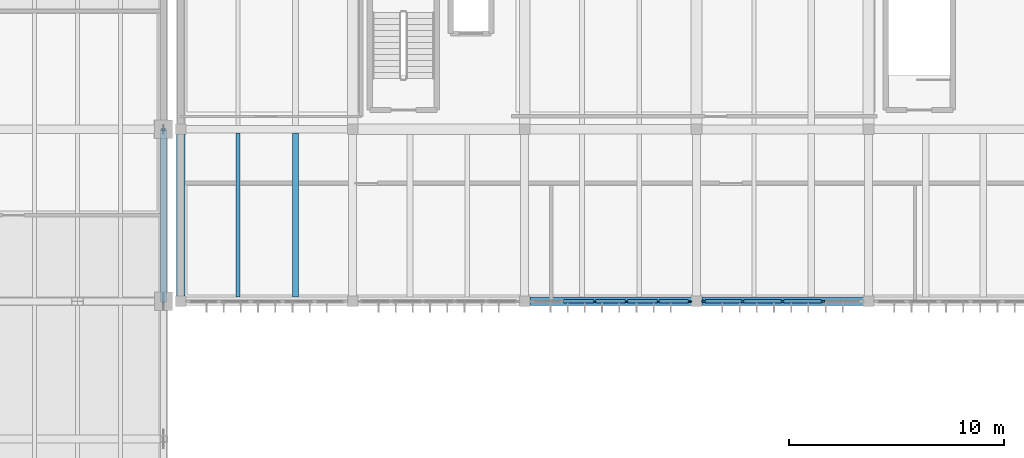
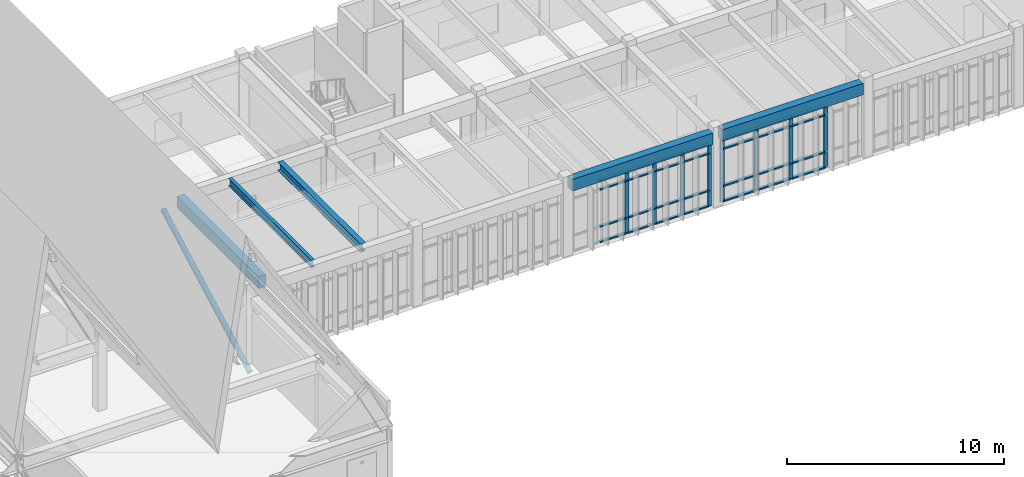
# One storey, part 16 of 72: 37 members, 5 beams, 2 elements without a shape of their own.
"""IFC4 building model written with IfcOpenShell, lengths in metres."""

from ifc_helpers import new_model, si_unit, direction, frame, origin, origin_2d, place, context, subcontext, project, spatial, rectangle, hollow_circle, i_section, extrude, material, material_profile, profile_set, type_object, element, aggregate, save


model = new_model("IFC4")

# Units and contexts
model_context = context("Model", 3, precision=1e-05, world=origin(), true_north=direction((0.0, 1.0)))
body_context = subcontext(model_context, "Body", "Model", "MODEL_VIEW")
ifc_project = project(units=[si_unit("LENGTHUNIT", "METRE"), si_unit("AREAUNIT", "SQUARE_METRE"), si_unit("VOLUMEUNIT", "CUBIC_METRE"), si_unit("PLANEANGLEUNIT", "RADIAN"), si_unit("MASSUNIT", "GRAM", prefix="KILO")], contexts=[model_context])

# Site, building, storey
site_placement = place(None, origin())
site = spatial("IfcSite", under=ifc_project, at=site_placement, CompositionType="ELEMENT")
building_placement = place(site_placement, origin())
building = spatial("IfcBuilding", under=site, at=building_placement, Name="Tlaxcora Railside Police Headquarters", CompositionType="ELEMENT")
storey_placement = place(building_placement, frame((0.0, 0.0, 13.5)))
storey = spatial("IfcBuildingStorey", under=building, at=storey_placement, Name="L03", CompositionType="ELEMENT", Elevation=13.5)

# Curtain wall, members
ifc_material_1 = material(Name="Thermally broken low-E insulated glazing", Category="glass")
curtain_wall_type_1 = type_object("IfcCurtainWallType", Name="Unitised Curtain Wall Assembly CW-15", PredefinedType="NOTDEFINED", material=ifc_material_1)
curtain_wall_1_placement = place(storey_placement, origin())
curtain_wall_1 = element("IfcCurtainWall", 1, at=curtain_wall_1_placement, inside=storey, type_object=curtain_wall_type_1, Name="V7 L03 curtain wall 186", PredefinedType="NOTDEFINED")
ifc_material_2 = material(Name="Anodised aluminium framing", Category="aluminium")
ifc_material_profile_1 = material_profile(ifc_material_2, rectangle(XDim=0.074951171875, YDim=0.199951171875, at=origin_2d()), Name="AL75X200")
ifc_profile_set_1 = profile_set([ifc_material_profile_1], Name="Anodised aluminium framing")
member_type_1 = type_object("IfcMemberType", Name="Curtain Wall Mullion CW-58", PredefinedType="MULLION", material=ifc_profile_set_1)
member_1_placement = place(storey_placement, frame((122.06005859375, 36.0, 0.0), z_axis=(0.0, 0.0, 1.0), x_axis=(0.0, 1.0, 0.0)))
member_1 = element("IfcMember", 2, at=member_1_placement, type_object=member_type_1, Name="CW mullion 3", PredefinedType="MULLION", context=body_context, shape_type="SweptSolid", body=[
    extrude(rectangle(XDim=0.074951171875, YDim=0.199951171875, at=origin_2d()), origin(), (0.0, 0.0, 1.0), 3.52001953125),
])
member_2_placement = place(storey_placement, frame((123.5400390625, 36.0, 0.0), z_axis=(0.0, 0.0, 1.0), x_axis=(0.0, 1.0, 0.0)))
member_2 = element("IfcMember", 3, at=member_2_placement, type_object=member_type_1, Name="CW mullion 4", PredefinedType="MULLION", context=body_context, shape_type="SweptSolid", body=[
    extrude(rectangle(XDim=0.074951171875, YDim=0.199951171875, at=origin_2d()), origin(), (0.0, 0.0, 1.0), 3.52001953125),
])
member_3_placement = place(storey_placement, frame((125.02001953125, 36.0, 0.0), z_axis=(0.0, 0.0, 1.0), x_axis=(0.0, 1.0, 0.0)))
member_3 = element("IfcMember", 4, at=member_3_placement, type_object=member_type_1, Name="CW mullion 5", PredefinedType="MULLION", context=body_context, shape_type="SweptSolid", body=[
    extrude(rectangle(XDim=0.074951171875, YDim=0.199951171875, at=origin_2d()), origin(), (0.0, 0.0, 1.0), 3.52001953125),
])
member_4_placement = place(storey_placement, frame((126.46240234375, 36.0, 0.0), z_axis=(0.0, 0.0, 1.0), x_axis=(0.0, 1.0, 0.0)))
member_4 = element("IfcMember", 5, at=member_4_placement, type_object=member_type_1, Name="CW mullion 6", PredefinedType="MULLION", context=body_context, shape_type="SweptSolid", body=[
    extrude(rectangle(XDim=0.074951171875, YDim=0.199951171875, at=origin_2d()), origin(), (0.0, 0.0, 1.0), 3.52001953125),
])

curtain_wall_type_2 = type_object("IfcCurtainWallType", Name="Unitised Curtain Wall Assembly CW-83", PredefinedType="NOTDEFINED", material=ifc_material_1)
curtain_wall_2_placement = place(storey_placement, origin())
curtain_wall_2 = element("IfcCurtainWall", 6, at=curtain_wall_2_placement, inside=storey, type_object=curtain_wall_type_2, Name="V7 L03 curtain wall 187", PredefinedType="NOTDEFINED")
ifc_material_profile_2 = material_profile(ifc_material_2, rectangle(XDim=0.080078125, YDim=0.2099609375, at=origin_2d()), Name="AL80X210")
ifc_profile_set_2 = profile_set([ifc_material_profile_2], Name="Anodised aluminium framing")
member_type_2 = type_object("IfcMemberType", Name="Curtain Wall Mullion CW-76", PredefinedType="MULLION", material=ifc_profile_set_2)
member_5_placement = place(storey_placement, frame((127.139892578125, 36.0, 0.0), z_axis=(0.0, 0.0, 1.0), x_axis=(0.0, 1.0, 0.0)))
member_5 = element("IfcMember", 7, at=member_5_placement, type_object=member_type_2, Name="CW mullion 1", PredefinedType="MULLION", context=body_context, shape_type="SweptSolid", body=[
    extrude(rectangle(XDim=0.080078125, YDim=0.2099609375, at=origin_2d()), origin(), (0.0, 0.0, 1.0), 3.52001953125),
])
member_6_placement = place(storey_placement, frame((128.949951171875, 36.0, 0.0), z_axis=(0.0, 0.0, 1.0), x_axis=(0.0, 1.0, 0.0)))
member_6 = element("IfcMember", 8, at=member_6_placement, type_object=member_type_2, Name="CW mullion 2", PredefinedType="MULLION", context=body_context, shape_type="SweptSolid", body=[
    extrude(rectangle(XDim=0.080078125, YDim=0.2099609375, at=origin_2d()), origin(), (0.0, 0.0, 1.0), 3.52001953125),
])
member_7_placement = place(storey_placement, frame((130.800048828125, 36.0, 0.0), z_axis=(0.0, 0.0, 1.0), x_axis=(0.0, 1.0, 0.0)))
member_7 = element("IfcMember", 9, at=member_7_placement, type_object=member_type_2, Name="CW mullion 3", PredefinedType="MULLION", context=body_context, shape_type="SweptSolid", body=[
    extrude(rectangle(XDim=0.080078125, YDim=0.2099609375, at=origin_2d()), origin(), (0.0, 0.0, 1.0), 3.52001953125),
])
member_8_placement = place(storey_placement, frame((132.64990234375, 36.0, 0.0), z_axis=(0.0, 0.0, 1.0), x_axis=(0.0, 1.0, 0.0)))
member_8 = element("IfcMember", 10, at=member_8_placement, type_object=member_type_2, Name="CW mullion 4", PredefinedType="MULLION", context=body_context, shape_type="SweptSolid", body=[
    extrude(rectangle(XDim=0.080078125, YDim=0.2099609375, at=origin_2d()), origin(), (0.0, 0.0, 1.0), 3.52001953125),
])

# Member
ifc_material_profile_3 = material_profile(ifc_material_2, rectangle(XDim=0.14990234375, YDim=0.074951171875, at=origin_2d()), Name="AL75X150")
ifc_profile_set_3 = profile_set([ifc_material_profile_3], Name="Anodised aluminium framing")
member_type_3 = type_object("IfcMemberType", Name="Curtain Wall Transom CW-28", PredefinedType="USERDEFINED", material=ifc_profile_set_3)
member_9_placement = place(storey_placement, frame((120.617431640625, 36.0, 0.03759765625), z_axis=(1.0, 0.0, 0.0), x_axis=(0.0, 1.0, 0.0)))
member_9 = element("IfcMember", 11, at=member_9_placement, type_object=member_type_3, Name="CW transom 2.1", ObjectType="TRANSOM", PredefinedType="USERDEFINED", context=body_context, shape_type="SweptSolid", body=[
    extrude(rectangle(XDim=0.14990234375, YDim=0.074951171875, at=origin_2d()), origin(), (0.0, 0.0, 1.0), 1.405029296875),
])

member_10_placement = place(storey_placement, frame((120.617431640625, 36.0, 0.89990234375), z_axis=(1.0, 0.0, 0.0), x_axis=(0.0, 1.0, 0.0)))
member_10 = element("IfcMember", 12, at=member_10_placement, type_object=member_type_3, Name="CW transom 2.2", ObjectType="TRANSOM", PredefinedType="USERDEFINED", context=body_context, shape_type="SweptSolid", body=[
    extrude(rectangle(XDim=0.14990234375, YDim=0.074951171875, at=origin_2d()), origin(), (0.0, 0.0, 1.0), 1.405029296875),
])

member_11_placement = place(storey_placement, frame((120.617431640625, 36.0, 2.989990234375), z_axis=(1.0, 0.0, 0.0), x_axis=(0.0, 1.0, 0.0)))
member_11 = element("IfcMember", 13, at=member_11_placement, type_object=member_type_3, Name="CW transom 2.3", ObjectType="TRANSOM", PredefinedType="USERDEFINED", context=body_context, shape_type="SweptSolid", body=[
    extrude(rectangle(XDim=0.14990234375, YDim=0.074951171875, at=origin_2d()), origin(), (0.0, 0.0, 1.0), 1.405029296875),
])

member_12_placement = place(storey_placement, frame((120.617431640625, 36.0, 3.482421875), z_axis=(1.0, 0.0, 0.0), x_axis=(0.0, 1.0, 0.0)))
member_12 = element("IfcMember", 14, at=member_12_placement, type_object=member_type_3, Name="CW transom 2.4", ObjectType="TRANSOM", PredefinedType="USERDEFINED", context=body_context, shape_type="SweptSolid", body=[
    extrude(rectangle(XDim=0.14990234375, YDim=0.074951171875, at=origin_2d()), origin(), (0.0, 0.0, 1.0), 1.405029296875),
])

member_13_placement = place(storey_placement, frame((122.097412109375, 36.0, 0.03759765625), z_axis=(1.0, 0.0, 0.0), x_axis=(0.0, 1.0, 0.0)))
member_13 = element("IfcMember", 15, at=member_13_placement, type_object=member_type_3, Name="CW transom 3.1", ObjectType="TRANSOM", PredefinedType="USERDEFINED", context=body_context, shape_type="SweptSolid", body=[
    extrude(rectangle(XDim=0.14990234375, YDim=0.074951171875, at=origin_2d()), origin(), (0.0, 0.0, 1.0), 1.405029296875),
])

member_14_placement = place(storey_placement, frame((122.097412109375, 36.0, 0.89990234375), z_axis=(1.0, 0.0, 0.0), x_axis=(0.0, 1.0, 0.0)))
member_14 = element("IfcMember", 16, at=member_14_placement, type_object=member_type_3, Name="CW transom 3.2", ObjectType="TRANSOM", PredefinedType="USERDEFINED", context=body_context, shape_type="SweptSolid", body=[
    extrude(rectangle(XDim=0.14990234375, YDim=0.074951171875, at=origin_2d()), origin(), (0.0, 0.0, 1.0), 1.405029296875),
])

member_15_placement = place(storey_placement, frame((122.097412109375, 36.0, 2.989990234375), z_axis=(1.0, 0.0, 0.0), x_axis=(0.0, 1.0, 0.0)))
member_15 = element("IfcMember", 17, at=member_15_placement, type_object=member_type_3, Name="CW transom 3.3", ObjectType="TRANSOM", PredefinedType="USERDEFINED", context=body_context, shape_type="SweptSolid", body=[
    extrude(rectangle(XDim=0.14990234375, YDim=0.074951171875, at=origin_2d()), origin(), (0.0, 0.0, 1.0), 1.405029296875),
])

member_16_placement = place(storey_placement, frame((122.097412109375, 36.0, 3.482421875), z_axis=(1.0, 0.0, 0.0), x_axis=(0.0, 1.0, 0.0)))
member_16 = element("IfcMember", 18, at=member_16_placement, type_object=member_type_3, Name="CW transom 3.4", ObjectType="TRANSOM", PredefinedType="USERDEFINED", context=body_context, shape_type="SweptSolid", body=[
    extrude(rectangle(XDim=0.14990234375, YDim=0.074951171875, at=origin_2d()), origin(), (0.0, 0.0, 1.0), 1.405029296875),
])

member_17_placement = place(storey_placement, frame((123.577392578125, 36.0, 0.03759765625), z_axis=(1.0, 0.0, 0.0), x_axis=(0.0, 1.0, 0.0)))
member_17 = element("IfcMember", 19, at=member_17_placement, type_object=member_type_3, Name="CW transom 4.1", ObjectType="TRANSOM", PredefinedType="USERDEFINED", context=body_context, shape_type="SweptSolid", body=[
    extrude(rectangle(XDim=0.14990234375, YDim=0.074951171875, at=origin_2d()), origin(), (0.0, 0.0, 1.0), 1.405029296875),
])

member_18_placement = place(storey_placement, frame((123.577392578125, 36.0, 0.89990234375), z_axis=(1.0, 0.0, 0.0), x_axis=(0.0, 1.0, 0.0)))
member_18 = element("IfcMember", 20, at=member_18_placement, type_object=member_type_3, Name="CW transom 4.2", ObjectType="TRANSOM", PredefinedType="USERDEFINED", context=body_context, shape_type="SweptSolid", body=[
    extrude(rectangle(XDim=0.14990234375, YDim=0.074951171875, at=origin_2d()), origin(), (0.0, 0.0, 1.0), 1.405029296875),
])

member_19_placement = place(storey_placement, frame((123.577392578125, 36.0, 2.989990234375), z_axis=(1.0, 0.0, 0.0), x_axis=(0.0, 1.0, 0.0)))
member_19 = element("IfcMember", 21, at=member_19_placement, type_object=member_type_3, Name="CW transom 4.3", ObjectType="TRANSOM", PredefinedType="USERDEFINED", context=body_context, shape_type="SweptSolid", body=[
    extrude(rectangle(XDim=0.14990234375, YDim=0.074951171875, at=origin_2d()), origin(), (0.0, 0.0, 1.0), 1.405029296875),
])

member_20_placement = place(storey_placement, frame((123.577392578125, 36.0, 3.482421875), z_axis=(1.0, 0.0, 0.0), x_axis=(0.0, 1.0, 0.0)))
member_20 = element("IfcMember", 22, at=member_20_placement, type_object=member_type_3, Name="CW transom 4.4", ObjectType="TRANSOM", PredefinedType="USERDEFINED", context=body_context, shape_type="SweptSolid", body=[
    extrude(rectangle(XDim=0.14990234375, YDim=0.074951171875, at=origin_2d()), origin(), (0.0, 0.0, 1.0), 1.405029296875),
])

member_21_placement = place(storey_placement, frame((125.0576171875, 36.0, 0.03759765625), z_axis=(1.0, 0.0, 0.0), x_axis=(0.0, 1.0, 0.0)))
member_21 = element("IfcMember", 23, at=member_21_placement, type_object=member_type_3, Name="CW transom 5.1", ObjectType="TRANSOM", PredefinedType="USERDEFINED", context=body_context, shape_type="SweptSolid", body=[
    extrude(rectangle(XDim=0.14990234375, YDim=0.074951171875, at=origin_2d()), origin(), (0.0, 0.0, 1.0), 1.367431640625),
])

member_22_placement = place(storey_placement, frame((125.0576171875, 36.0, 0.89990234375), z_axis=(1.0, 0.0, 0.0), x_axis=(0.0, 1.0, 0.0)))
member_22 = element("IfcMember", 24, at=member_22_placement, type_object=member_type_3, Name="CW transom 5.2", ObjectType="TRANSOM", PredefinedType="USERDEFINED", context=body_context, shape_type="SweptSolid", body=[
    extrude(rectangle(XDim=0.14990234375, YDim=0.074951171875, at=origin_2d()), origin(), (0.0, 0.0, 1.0), 1.367431640625),
])

member_23_placement = place(storey_placement, frame((125.0576171875, 36.0, 2.989990234375), z_axis=(1.0, 0.0, 0.0), x_axis=(0.0, 1.0, 0.0)))
member_23 = element("IfcMember", 25, at=member_23_placement, type_object=member_type_3, Name="CW transom 5.3", ObjectType="TRANSOM", PredefinedType="USERDEFINED", context=body_context, shape_type="SweptSolid", body=[
    extrude(rectangle(XDim=0.14990234375, YDim=0.074951171875, at=origin_2d()), origin(), (0.0, 0.0, 1.0), 1.367431640625),
])

member_24_placement = place(storey_placement, frame((125.0576171875, 36.0, 3.482421875), z_axis=(1.0, 0.0, 0.0), x_axis=(0.0, 1.0, 0.0)))
member_24 = element("IfcMember", 26, at=member_24_placement, type_object=member_type_3, Name="CW transom 5.4", ObjectType="TRANSOM", PredefinedType="USERDEFINED", context=body_context, shape_type="SweptSolid", body=[
    extrude(rectangle(XDim=0.14990234375, YDim=0.074951171875, at=origin_2d()), origin(), (0.0, 0.0, 1.0), 1.367431640625),
])

aggregate(curtain_wall_1, [member_1, member_2, member_3, member_4, member_9, member_10, member_11, member_12, member_13, member_14, member_15, member_16, member_17, member_18, member_19, member_20, member_21, member_22, member_23, member_24])

ifc_material_profile_4 = material_profile(ifc_material_2, rectangle(XDim=0.159912109375, YDim=0.080078125, at=origin_2d()), Name="AL80X160")
ifc_profile_set_4 = profile_set([ifc_material_profile_4], Name="Anodised aluminium framing")
member_type_4 = type_object("IfcMemberType", Name="Curtain Wall Transom CW-82", PredefinedType="USERDEFINED", material=ifc_profile_set_4)
member_25_placement = place(storey_placement, frame((127.179931640625, 36.0, 0.0400390625), z_axis=(1.0, 0.0, 0.0), x_axis=(0.0, 1.0, 0.0)))
member_25 = element("IfcMember", 27, at=member_25_placement, type_object=member_type_4, Name="CW transom 1.1", ObjectType="TRANSOM", PredefinedType="USERDEFINED", context=body_context, shape_type="SweptSolid", body=[
    extrude(rectangle(XDim=0.159912109375, YDim=0.080078125, at=origin_2d()), origin(), (0.0, 0.0, 1.0), 1.72998046875),
])

member_26_placement = place(storey_placement, frame((127.179931640625, 36.0, 0.89990234375), z_axis=(1.0, 0.0, 0.0), x_axis=(0.0, 1.0, 0.0)))
member_26 = element("IfcMember", 28, at=member_26_placement, type_object=member_type_4, Name="CW transom 1.2", ObjectType="TRANSOM", PredefinedType="USERDEFINED", context=body_context, shape_type="SweptSolid", body=[
    extrude(rectangle(XDim=0.159912109375, YDim=0.080078125, at=origin_2d()), origin(), (0.0, 0.0, 1.0), 1.72998046875),
])

member_27_placement = place(storey_placement, frame((127.179931640625, 36.0, 2.989990234375), z_axis=(1.0, 0.0, 0.0), x_axis=(0.0, 1.0, 0.0)))
member_27 = element("IfcMember", 29, at=member_27_placement, type_object=member_type_4, Name="CW transom 1.3", ObjectType="TRANSOM", PredefinedType="USERDEFINED", context=body_context, shape_type="SweptSolid", body=[
    extrude(rectangle(XDim=0.159912109375, YDim=0.080078125, at=origin_2d()), origin(), (0.0, 0.0, 1.0), 1.72998046875),
])

member_28_placement = place(storey_placement, frame((127.179931640625, 36.0, 3.47998046875), z_axis=(1.0, 0.0, 0.0), x_axis=(0.0, 1.0, 0.0)))
member_28 = element("IfcMember", 30, at=member_28_placement, type_object=member_type_4, Name="CW transom 1.4", ObjectType="TRANSOM", PredefinedType="USERDEFINED", context=body_context, shape_type="SweptSolid", body=[
    extrude(rectangle(XDim=0.159912109375, YDim=0.080078125, at=origin_2d()), origin(), (0.0, 0.0, 1.0), 1.72998046875),
])

member_29_placement = place(storey_placement, frame((128.989990234375, 36.0, 0.0400390625), z_axis=(1.0, 0.0, 0.0), x_axis=(0.0, 1.0, 0.0)))
member_29 = element("IfcMember", 31, at=member_29_placement, type_object=member_type_4, Name="CW transom 2.1", ObjectType="TRANSOM", PredefinedType="USERDEFINED", context=body_context, shape_type="SweptSolid", body=[
    extrude(rectangle(XDim=0.159912109375, YDim=0.080078125, at=origin_2d()), origin(), (0.0, 0.0, 1.0), 1.77001953125),
])

member_30_placement = place(storey_placement, frame((128.989990234375, 36.0, 0.89990234375), z_axis=(1.0, 0.0, 0.0), x_axis=(0.0, 1.0, 0.0)))
member_30 = element("IfcMember", 32, at=member_30_placement, type_object=member_type_4, Name="CW transom 2.2", ObjectType="TRANSOM", PredefinedType="USERDEFINED", context=body_context, shape_type="SweptSolid", body=[
    extrude(rectangle(XDim=0.159912109375, YDim=0.080078125, at=origin_2d()), origin(), (0.0, 0.0, 1.0), 1.77001953125),
])

member_31_placement = place(storey_placement, frame((128.989990234375, 36.0, 2.989990234375), z_axis=(1.0, 0.0, 0.0), x_axis=(0.0, 1.0, 0.0)))
member_31 = element("IfcMember", 33, at=member_31_placement, type_object=member_type_4, Name="CW transom 2.3", ObjectType="TRANSOM", PredefinedType="USERDEFINED", context=body_context, shape_type="SweptSolid", body=[
    extrude(rectangle(XDim=0.159912109375, YDim=0.080078125, at=origin_2d()), origin(), (0.0, 0.0, 1.0), 1.77001953125),
])

member_32_placement = place(storey_placement, frame((128.989990234375, 36.0, 3.47998046875), z_axis=(1.0, 0.0, 0.0), x_axis=(0.0, 1.0, 0.0)))
member_32 = element("IfcMember", 34, at=member_32_placement, type_object=member_type_4, Name="CW transom 2.4", ObjectType="TRANSOM", PredefinedType="USERDEFINED", context=body_context, shape_type="SweptSolid", body=[
    extrude(rectangle(XDim=0.159912109375, YDim=0.080078125, at=origin_2d()), origin(), (0.0, 0.0, 1.0), 1.77001953125),
])

member_33_placement = place(storey_placement, frame((130.840087890625, 36.0, 0.0400390625), z_axis=(1.0, 0.0, 0.0), x_axis=(0.0, 1.0, 0.0)))
member_33 = element("IfcMember", 35, at=member_33_placement, type_object=member_type_4, Name="CW transom 3.1", ObjectType="TRANSOM", PredefinedType="USERDEFINED", context=body_context, shape_type="SweptSolid", body=[
    extrude(rectangle(XDim=0.159912109375, YDim=0.080078125, at=origin_2d()), origin(), (0.0, 0.0, 1.0), 1.77001953125),
])

member_34_placement = place(storey_placement, frame((130.840087890625, 36.0, 0.89990234375), z_axis=(1.0, 0.0, 0.0), x_axis=(0.0, 1.0, 0.0)))
member_34 = element("IfcMember", 36, at=member_34_placement, type_object=member_type_4, Name="CW transom 3.2", ObjectType="TRANSOM", PredefinedType="USERDEFINED", context=body_context, shape_type="SweptSolid", body=[
    extrude(rectangle(XDim=0.159912109375, YDim=0.080078125, at=origin_2d()), origin(), (0.0, 0.0, 1.0), 1.77001953125),
])

member_35_placement = place(storey_placement, frame((130.840087890625, 36.0, 2.989990234375), z_axis=(1.0, 0.0, 0.0), x_axis=(0.0, 1.0, 0.0)))
member_35 = element("IfcMember", 37, at=member_35_placement, type_object=member_type_4, Name="CW transom 3.3", ObjectType="TRANSOM", PredefinedType="USERDEFINED", context=body_context, shape_type="SweptSolid", body=[
    extrude(rectangle(XDim=0.159912109375, YDim=0.080078125, at=origin_2d()), origin(), (0.0, 0.0, 1.0), 1.77001953125),
])

member_36_placement = place(storey_placement, frame((130.840087890625, 36.0, 3.47998046875), z_axis=(1.0, 0.0, 0.0), x_axis=(0.0, 1.0, 0.0)))
member_36 = element("IfcMember", 38, at=member_36_placement, type_object=member_type_4, Name="CW transom 3.4", ObjectType="TRANSOM", PredefinedType="USERDEFINED", context=body_context, shape_type="SweptSolid", body=[
    extrude(rectangle(XDim=0.159912109375, YDim=0.080078125, at=origin_2d()), origin(), (0.0, 0.0, 1.0), 1.77001953125),
])

aggregate(curtain_wall_2, [member_5, member_6, member_7, member_8, member_25, member_26, member_27, member_28, member_29, member_30, member_31, member_32, member_33, member_34, member_35, member_36])

ifc_material_3 = material(Name="Steel ASTM A992 Grade 50", Category="steel")
ifc_material_profile_5 = material_profile(ifc_material_3, hollow_circle(Radius=0.136474609375, WallThickness=0.011962890625, at=origin_2d()), Name="CHS273X12")
ifc_profile_set_5 = profile_set([ifc_material_profile_5], Name="Steel ASTM A992 Grade 50")
member_type_5 = type_object("IfcMemberType", Name="Diagonal Brace Member MB-16", PredefinedType="BRACE", material=ifc_profile_set_5)
member_37_placement = place(storey_placement, frame((102.0, 44.0, 3.52001953125), z_axis=(0.0, -0.879902254176, -0.475154735951), x_axis=(1.0, 0.0, 0.0)))
element("IfcMember", 39, at=member_37_placement, inside=storey, type_object=member_type_5, Name="Truss TR-4 L03 web diagonal 3", PredefinedType="BRACE", context=body_context, shape_type="SweptSolid", body=[
    extrude(hollow_circle(Radius=0.136474609375, WallThickness=0.011962890625, at=origin_2d()), origin(), (0.0, 0.0, 1.0), 9.092041015625),
])

# Beams
ifc_material_4 = material(Name="Concrete C40/50", Category="concrete")
ifc_material_profile_6 = material_profile(ifc_material_4, rectangle(XDim=0.39990234375, YDim=0.64990234375, at=origin_2d()), Name="RC400X650")
ifc_profile_set_6 = profile_set([ifc_material_profile_6], Name="Concrete C40/50")
beam_type_1 = type_object("IfcBeamType", Name="Perimeter Spandrel Beam BM-46", PredefinedType="SPANDREL", material=ifc_profile_set_6)
for number, where, z_axis, x_axis, name in (
    (40, (119.0400390625, 36.0, 3.864990234375), (1.0, 0.0, 0.0), (0.0, 1.0, 0.0), "V7 L03 X-girder Y=36.0"),
    (41, (127.0400390625, 36.0, 3.864990234375), (1.0, 0.0, 0.0), (0.0, 1.0, 0.0), "V7 L03 X-girder Y=36.0"),
    (42, (102.800048828125, 36.239990234375, 3.864990234375), (0.0, 1.0, 0.0), (-1.0, 0.0, 0.0), "V7 L03 Y-girder X=102.8"),
):
    element("IfcBeam", number, at=place(storey_placement, frame(where, z_axis=z_axis, x_axis=x_axis)), inside=storey, type_object=beam_type_1, Name=name, PredefinedType="SPANDREL", context=body_context, shape_type="SweptSolid", body=[
        extrude(rectangle(XDim=0.39990234375, YDim=0.64990234375, at=origin_2d()), origin(), (0.0, 0.0, 1.0), 7.52001953125),
    ])
ifc_material_profile_7 = material_profile(ifc_material_3, i_section(OverallWidth=0.280029296875, OverallDepth=0.4619140625, WebThickness=0.0107421875, FlangeThickness=0.017333984375, at=origin_2d()), Name="W18X76")
ifc_profile_set_7 = profile_set([ifc_material_profile_7], Name="Steel ASTM A992 Grade 50")
beam_type_2 = type_object("IfcBeamType", Name="Secondary Floor Joist BM-44", PredefinedType="JOIST", material=ifc_profile_set_7)
beam_1_placement = place(storey_placement, frame((108.13330078125, 36.19189453125, 3.958984375), z_axis=(0.0, 1.0, 0.0), x_axis=(-1.0, 0.0, 0.0)))
element("IfcBeam", 43, at=beam_1_placement, inside=storey, type_object=beam_type_2, Name="V7 L03 floor joist X=108.13", PredefinedType="JOIST", context=body_context, shape_type="SweptSolid", body=[
    extrude(i_section(OverallWidth=0.280029296875, OverallDepth=0.4619140625, WebThickness=0.0107421875, FlangeThickness=0.017333984375, at=origin_2d()), origin(), (0.0, 0.0, 1.0), 7.64111328125),
])
ifc_material_profile_8 = material_profile(ifc_material_3, i_section(OverallWidth=0.180908203125, OverallDepth=0.4169921875, WebThickness=0.010009765625, FlangeThickness=0.018310546875, at=origin_2d()), Name="W16X57")
ifc_profile_set_8 = profile_set([ifc_material_profile_8], Name="Steel ASTM A992 Grade 50")
beam_type_3 = type_object("IfcBeamType", Name="Secondary Floor Joist BM-84", PredefinedType="JOIST", material=ifc_profile_set_8)
beam_2_placement = place(storey_placement, frame((105.466796875, 36.19189453125, 3.9814453125), z_axis=(0.0, 1.0, 0.0), x_axis=(-1.0, 0.0, 0.0)))
element("IfcBeam", 44, at=beam_2_placement, inside=storey, type_object=beam_type_3, Name="V7 L03 floor joist X=105.47", PredefinedType="JOIST", context=body_context, shape_type="SweptSolid", body=[
    extrude(i_section(OverallWidth=0.180908203125, OverallDepth=0.4169921875, WebThickness=0.010009765625, FlangeThickness=0.018310546875, at=origin_2d()), origin(), (0.0, 0.0, 1.0), 7.64111328125),
])

save(model, "model.ifc")
